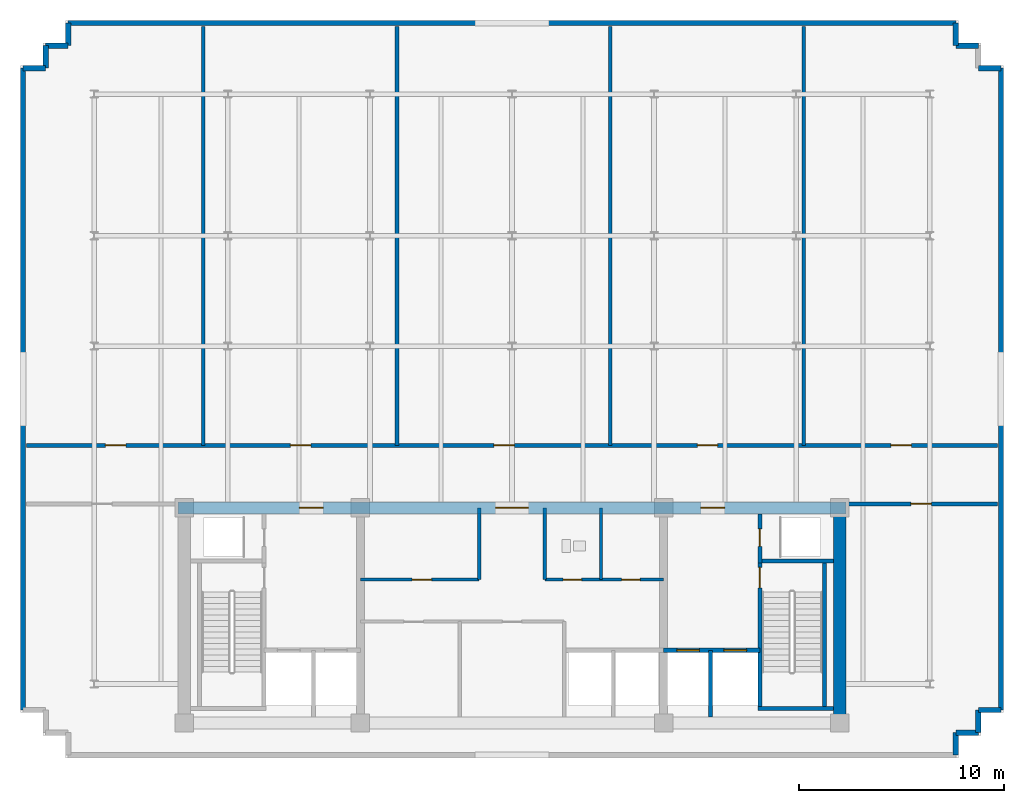
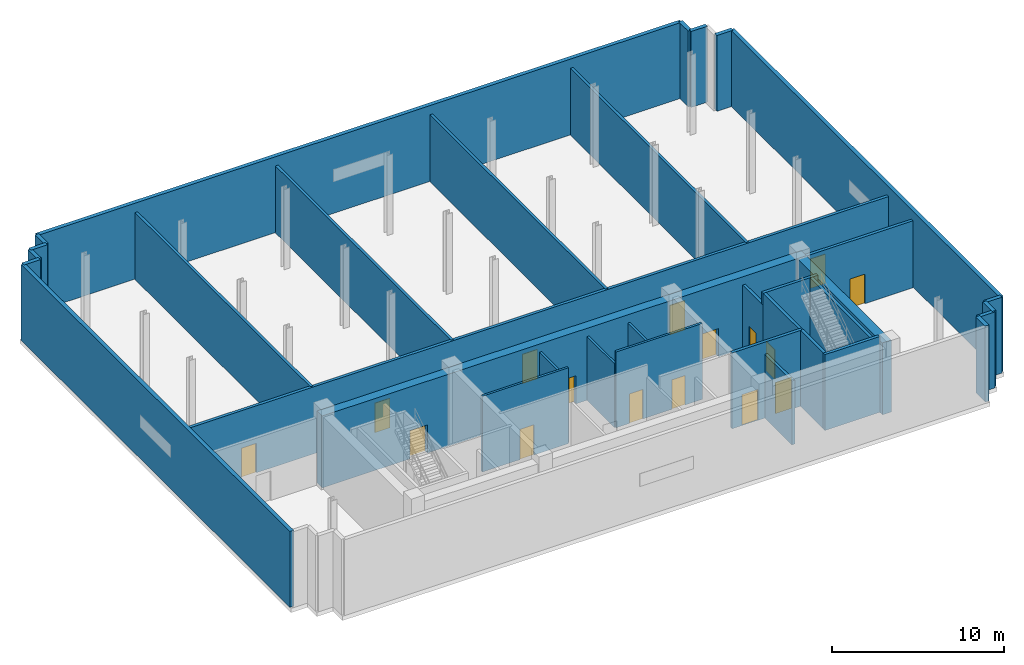
# One storey, part 3 of 7: 34 walls, 16 doors, 16 openings.
"""IFC4 building model written with IfcOpenShell, lengths in metres."""

from ifc_helpers import new_model, si_unit, direction, frame, frame_2d, origin, place, context, subcontext, project, spatial, rectangle, extrude, material, layer, layer_set, type_object, element, fill, save


model = new_model("IFC4")

# Units and contexts
model_context = context("Model", 3, precision=1e-05, world=origin(), true_north=direction((0.0, 1.0)))
body_context = subcontext(model_context, "Body", "Model", "MODEL_VIEW")
ifc_project = project(units=[si_unit("LENGTHUNIT", "METRE"), si_unit("AREAUNIT", "SQUARE_METRE"), si_unit("VOLUMEUNIT", "CUBIC_METRE"), si_unit("PLANEANGLEUNIT", "RADIAN"), si_unit("MASSUNIT", "GRAM", prefix="KILO")], contexts=[model_context])

# Site, building, storey
site_placement = place(None, origin())
site = spatial("IfcSite", under=ifc_project, at=site_placement, CompositionType="ELEMENT")
building_placement = place(site_placement, origin())
building = spatial("IfcBuilding", under=site, at=building_placement, Name="Solmavex Isthmus Hotel", CompositionType="ELEMENT")
storey_placement = place(building_placement, frame((0.0, 0.0, 291.300048828125)))
storey = spatial("IfcBuildingStorey", under=building, at=storey_placement, Name="L79", CompositionType="ELEMENT", Elevation=291.300048828125)

# Walls
ifc_material_1 = material(Name="Precast Concrete C40/50", Category="concrete")
ifc_layer_1 = layer(ifc_material_1, 0.260009765625)
ifc_layer_set_1 = layer_set([ifc_layer_1], Name="Precast Concrete C40/50")
wall_type_1 = type_object("IfcWallType", Name="EW-CRN-260", PredefinedType="STANDARD", material=ifc_layer_set_1)
wall_1_placement = place(storey_placement, frame((-23.8701171875, -12.3701171875, 0.0), z_axis=(0.0, 0.0, 1.0), x_axis=(0.0, 1.0, 0.0)))
element("IfcWall", 1, at=wall_1_placement, inside=storey, type_object=wall_type_1, Name="Plant Acoustic Louvre Enclosure Wall L79-06", PredefinedType="STANDARD", context=body_context, shape_type="SweptSolid", body=[
    extrude(rectangle(XDim=31.340087890625, YDim=0.260009765625, at=frame_2d((15.669921875, 0.0))), origin(), (0.0, 0.0, 1.0), 5.39990234375),
])
for number, where, z_axis, x_axis, name in (
    (2, (-23.8701171875, 18.969970703125, 0.0), (0.0, 0.0, 1.0), (1.0, 0.0, 0.0), "Plant Acoustic Louvre Enclosure Wall L79-07"),
    (3, (-22.77001953125, 18.969970703125, 0.0), (0.0, 0.0, 1.0), (0.0, 1.0, 0.0), "Plant Acoustic Louvre Enclosure Wall L79-08"),
    (4, (-22.77001953125, 20.070068359375, 0.0), (0.0, 0.0, 1.0), (1.0, 0.0, 0.0), "Plant Acoustic Louvre Enclosure Wall L79-09"),
):
    element("IfcWall", number, at=place(storey_placement, frame(where, z_axis=z_axis, x_axis=x_axis)), inside=storey, type_object=wall_type_1, Name=name, PredefinedType="STANDARD", context=body_context, shape_type="SweptSolid", body=[
        extrude(rectangle(XDim=1.10009765625, YDim=0.260009765625, at=frame_2d((0.550048828125, 0.0))), origin(), (0.0, 0.0, 1.0), 5.39990234375),
    ])
wall_2_placement = place(storey_placement, frame((-21.669921875, 20.070068359375, 0.0), z_axis=(0.0, 0.0, 1.0), x_axis=(0.0, 1.0, 0.0)))
element("IfcWall", 5, at=wall_2_placement, inside=storey, type_object=wall_type_1, Name="Plant Acoustic Louvre Enclosure Wall L79-10", PredefinedType="STANDARD", context=body_context, shape_type="SweptSolid", body=[
    extrude(rectangle(XDim=1.099853515625, YDim=0.260009765625, at=frame_2d((0.5498046875, 0.0))), origin(), (0.0, 0.0, 1.0), 5.39990234375),
])
wall_3_placement = place(storey_placement, frame((-21.669921875, 21.169921875, 0.0), z_axis=(0.0, 0.0, 1.0), x_axis=(1.0, 0.0, 0.0)))
element("IfcWall", 6, at=wall_3_placement, inside=storey, type_object=wall_type_1, Name="Plant Acoustic Louvre Enclosure Wall L79-11", PredefinedType="STANDARD", context=body_context, shape_type="SweptSolid", body=[
    extrude(rectangle(XDim=43.33984375, YDim=0.260009765625, at=frame_2d((21.669921875, 0.0))), origin(), (0.0, 0.0, 1.0), 5.39990234375),
])
wall_4_placement = place(storey_placement, frame((21.669921875, 21.169921875, 0.0), z_axis=(0.0, 0.0, 1.0), x_axis=(0.0, -1.0, 0.0)))
element("IfcWall", 7, at=wall_4_placement, inside=storey, type_object=wall_type_1, Name="Plant Acoustic Louvre Enclosure Wall L79-12", PredefinedType="STANDARD", context=body_context, shape_type="SweptSolid", body=[
    extrude(rectangle(XDim=1.099853515625, YDim=0.260009765625, at=frame_2d((0.5498046875, 0.0))), origin(), (0.0, 0.0, 1.0), 5.39990234375),
])
for number, where, z_axis, x_axis, name in (
    (8, (21.669921875, 20.070068359375, 0.0), (0.0, 0.0, 1.0), (1.0, 0.0, 0.0), "Plant Acoustic Louvre Enclosure Wall L79-13"),
    (9, (22.77001953125, 18.969970703125, 0.0), (0.0, 0.0, 1.0), (1.0, 0.0, 0.0), "Plant Acoustic Louvre Enclosure Wall L79-15"),
):
    element("IfcWall", number, at=place(storey_placement, frame(where, z_axis=z_axis, x_axis=x_axis)), inside=storey, type_object=wall_type_1, Name=name, PredefinedType="STANDARD", context=body_context, shape_type="SweptSolid", body=[
        extrude(rectangle(XDim=1.10009765625, YDim=0.260009765625, at=frame_2d((0.550048828125, 0.0))), origin(), (0.0, 0.0, 1.0), 5.39990234375),
    ])
wall_5_placement = place(storey_placement, frame((23.8701171875, 18.969970703125, 0.0), z_axis=(0.0, 0.0, 1.0), x_axis=(0.0, -1.0, 0.0)))
element("IfcWall", 10, at=wall_5_placement, inside=storey, type_object=wall_type_1, Name="Plant Acoustic Louvre Enclosure Wall L79-16", PredefinedType="STANDARD", context=body_context, shape_type="SweptSolid", body=[
    extrude(rectangle(XDim=31.340087890625, YDim=0.260009765625, at=frame_2d((15.669921875, 0.0))), origin(), (0.0, 0.0, 1.0), 5.39990234375),
])
wall_6_placement = place(storey_placement, frame((23.8701171875, -12.3701171875, 0.0), z_axis=(0.0, 0.0, 1.0), x_axis=(-1.0, 0.0, 0.0)))
element("IfcWall", 11, at=wall_6_placement, inside=storey, type_object=wall_type_1, Name="Plant Acoustic Louvre Enclosure Wall L79-17", PredefinedType="STANDARD", context=body_context, shape_type="SweptSolid", body=[
    extrude(rectangle(XDim=1.10009765625, YDim=0.260009765625, at=frame_2d((0.550048828125, 0.0))), origin(), (0.0, 0.0, 1.0), 5.39990234375),
])
wall_7_placement = place(storey_placement, frame((22.77001953125, -12.3701171875, 0.0), z_axis=(0.0, 0.0, 1.0), x_axis=(0.0, -1.0, 0.0)))
element("IfcWall", 12, at=wall_7_placement, inside=storey, type_object=wall_type_1, Name="Plant Acoustic Louvre Enclosure Wall L79-18", PredefinedType="STANDARD", context=body_context, shape_type="SweptSolid", body=[
    extrude(rectangle(XDim=1.099853515625, YDim=0.260009765625, at=frame_2d((0.5498046875, 0.0))), origin(), (0.0, 0.0, 1.0), 5.39990234375),
])
for number, where, z_axis, x_axis, name in (
    (13, (22.77001953125, -13.469970703125, 0.0), (0.0, 0.0, 1.0), (-1.0, 0.0, 0.0), "Plant Acoustic Louvre Enclosure Wall L79-19"),
    (14, (21.669921875, -13.469970703125, 0.0), (0.0, 0.0, 1.0), (0.0, -1.0, 0.0), "Plant Acoustic Louvre Enclosure Wall L79-20"),
):
    element("IfcWall", number, at=place(storey_placement, frame(where, z_axis=z_axis, x_axis=x_axis)), inside=storey, type_object=wall_type_1, Name=name, PredefinedType="STANDARD", context=body_context, shape_type="SweptSolid", body=[
        extrude(rectangle(XDim=1.10009765625, YDim=0.260009765625, at=frame_2d((0.550048828125, 0.0))), origin(), (0.0, 0.0, 1.0), 5.39990234375),
    ])

# Wall, opening, door
ifc_material_2 = material(Name="Gypsum plasterboard lining", Category="gypsum")
ifc_layer_2 = layer(ifc_material_2, 0.14990234375)
ifc_layer_set_2 = layer_set([ifc_layer_2], Name="Gypsum plasterboard lining")
wall_type_2 = type_object("IfcWallType", Name="IW-CORR-150", PredefinedType="PARTITIONING", material=ifc_layer_set_2)
wall_8_placement = place(storey_placement, frame((-7.39990234375, -6.0, 0.0), z_axis=(0.0, 0.0, 1.0), x_axis=(1.0, 0.0, 0.0)))
wall_8 = element("IfcWall", 15, at=wall_8_placement, inside=storey, type_object=wall_type_2, Name="Interior Partition Wall W-L79-BOH-WS", PredefinedType="PARTITIONING", context=body_context, shape_type="SweptSolid", body=[
    extrude(rectangle(XDim=5.7998046875, YDim=0.14990234375, at=frame_2d((2.89990234375, 0.0))), origin(), (0.0, 0.0, 1.0), 5.39990234375),
])
opening_1_placement = place(wall_8_placement, frame((2.52490234375, 0.0, 0.0)))
opening_1 = element("IfcOpeningElement", 16, at=opening_1_placement, cuts=wall_8, Name="Opening ID-C095", PredefinedType="OPENING", context=body_context, shape_type="SweptSolid", body=[
    extrude(rectangle(XDim=0.949951171875, YDim=2.14990234375, at=frame_2d((0.47509765625, 1.074951171875))), frame((0.0, 0.0849609375, 0.0), z_axis=(0.0, -1.0, 0.0), x_axis=(1.0, 0.0, 0.0)), (0.0, 0.0, 1.0), 0.169921875),
])
ifc_material_3 = material(Name="Hardwood timber", Category="wood")
door_type_1 = type_object("IfcDoorType", Name="IDR-FD60-0950", OperationType="NOTDEFINED", PredefinedType="DOOR", material=ifc_material_3)
door_1_placement = place(opening_1_placement, frame((0.949951171875, 0.0, 0.0), z_axis=(0.0, 0.0, 1.0), x_axis=(-1.0, 0.0, 0.0)))
door_1 = element("IfcDoor", 17, at=door_1_placement, inside=storey, type_object=door_type_1, Name="Housekeeping Room Door L79", OperationType="SINGLE_SWING_LEFT", OverallHeight=2.14990234375, OverallWidth=0.949951171875, PredefinedType="DOOR", context=body_context, shape_type="SweptSolid", body=[
    extrude(rectangle(XDim=0.949951171875, YDim=2.14990234375, at=frame_2d((0.47509765625, 1.074951171875))), frame((0.0, 0.02490234375, 0.0), z_axis=(0.0, -1.0, 0.0), x_axis=(1.0, 0.0, 0.0)), (0.0, 0.0, 1.0), 0.050048828125),
])
fill(opening_1, door_1)

# Wall
wall_9_placement = place(storey_placement, frame((-1.60009765625, -6.0, 0.0), z_axis=(0.0, 0.0, 1.0), x_axis=(0.0, 1.0, 0.0)))
element("IfcWall", 18, at=wall_9_placement, inside=storey, type_object=wall_type_2, Name="Interior Partition Wall W-L79-BOH-WE", PredefinedType="PARTITIONING", context=body_context, shape_type="SweptSolid", body=[
    extrude(rectangle(XDim=3.5, YDim=0.14990234375, at=frame_2d((1.75, 0.0))), origin(), (0.0, 0.0, 1.0), 4.534912109375),
])

# Wall, openings, doors
wall_10_placement = place(storey_placement, frame((1.60009765625, -6.0, 0.0), z_axis=(0.0, 0.0, 1.0), x_axis=(1.0, 0.0, 0.0)))
wall_10 = element("IfcWall", 19, at=wall_10_placement, inside=storey, type_object=wall_type_2, Name="Interior Partition Wall W-L79-BOH-ES", PredefinedType="PARTITIONING", context=body_context, shape_type="SweptSolid", body=[
    extrude(rectangle(XDim=5.7998046875, YDim=0.14990234375, at=frame_2d((2.89990234375, 0.0))), origin(), (0.0, 0.0, 1.0), 5.39990234375),
])
opening_2_placement = place(wall_10_placement, frame((0.89990234375, 0.0, 0.0)))
opening_2 = element("IfcOpeningElement", 20, at=opening_2_placement, cuts=wall_10, Name="Opening ID-C090", PredefinedType="OPENING", context=body_context, shape_type="SweptSolid", body=[
    extrude(rectangle(XDim=0.89990234375, YDim=2.10009765625, at=frame_2d((0.449951171875, 1.050048828125))), frame((0.0, 0.0849609375, 0.0), z_axis=(0.0, -1.0, 0.0), x_axis=(1.0, 0.0, 0.0)), (0.0, 0.0, 1.0), 0.169921875),
])
opening_3_placement = place(wall_10_placement, frame((3.75, 0.0, 0.0)))
opening_3 = element("IfcOpeningElement", 21, at=opening_3_placement, cuts=wall_10, Name="Opening ID-C090", PredefinedType="OPENING", context=body_context, shape_type="SweptSolid", body=[
    extrude(rectangle(XDim=0.89990234375, YDim=2.10009765625, at=frame_2d((0.449951171875, 1.050048828125))), frame((0.0, 0.0849609375, 0.0), z_axis=(0.0, -1.0, 0.0), x_axis=(1.0, 0.0, 0.0)), (0.0, 0.0, 1.0), 0.169921875),
])
door_type_2 = type_object("IfcDoorType", Name="IDR-FD60-0900", OperationType="NOTDEFINED", PredefinedType="DOOR", material=ifc_material_3)
door_2_placement = place(opening_2_placement, frame((0.89990234375, 0.0, 0.0), z_axis=(0.0, 0.0, 1.0), x_axis=(-1.0, 0.0, 0.0)))
door_2 = element("IfcDoor", 22, at=door_2_placement, inside=storey, type_object=door_type_2, Name="Staff WC Door L79", OperationType="SINGLE_SWING_RIGHT", OverallHeight=2.10009765625, OverallWidth=0.89990234375, PredefinedType="DOOR", context=body_context, shape_type="SweptSolid", body=[
    extrude(rectangle(XDim=0.89990234375, YDim=2.10009765625, at=frame_2d((0.449951171875, 1.050048828125))), frame((0.0, 0.02490234375, 0.0), z_axis=(0.0, -1.0, 0.0), x_axis=(1.0, 0.0, 0.0)), (0.0, 0.0, 1.0), 0.050048828125),
])
fill(opening_2, door_2)
door_3_placement = place(opening_3_placement, frame((0.89990234375, 0.0, 0.0), z_axis=(0.0, 0.0, 1.0), x_axis=(-1.0, 0.0, 0.0)))
door_3 = element("IfcDoor", 23, at=door_3_placement, inside=storey, type_object=door_type_2, Name="Pantry Door L79", OperationType="SINGLE_SWING_LEFT", OverallHeight=2.10009765625, OverallWidth=0.89990234375, PredefinedType="DOOR", context=body_context, shape_type="SweptSolid", body=[
    extrude(rectangle(XDim=0.89990234375, YDim=2.10009765625, at=frame_2d((0.449951171875, 1.050048828125))), frame((0.0, 0.02490234375, 0.0), z_axis=(0.0, -1.0, 0.0), x_axis=(1.0, 0.0, 0.0)), (0.0, 0.0, 1.0), 0.050048828125),
])
fill(opening_3, door_3)

# Walls
wall_11_placement = place(storey_placement, frame((1.60009765625, -6.0, 0.0), z_axis=(0.0, 0.0, 1.0), x_axis=(0.0, 1.0, 0.0)))
element("IfcWall", 24, at=wall_11_placement, inside=storey, type_object=wall_type_2, Name="Interior Partition Wall W-L79-BOH-EW", PredefinedType="PARTITIONING", context=body_context, shape_type="SweptSolid", body=[
    extrude(rectangle(XDim=3.5, YDim=0.14990234375, at=frame_2d((1.75, 0.0))), origin(), (0.0, 0.0, 1.0), 4.534912109375),
])
ifc_layer_3 = layer(ifc_material_2, 0.1201171875)
ifc_layer_set_3 = layer_set([ifc_layer_3], Name="Gypsum plasterboard lining")
wall_type_3 = type_object("IfcWallType", Name="IW-PART-120", PredefinedType="PARTITIONING", material=ifc_layer_set_3)
wall_12_placement = place(storey_placement, frame((4.35009765625, -6.0, 0.0), z_axis=(0.0, 0.0, 1.0), x_axis=(0.0, 1.0, 0.0)))
element("IfcWall", 25, at=wall_12_placement, inside=storey, type_object=wall_type_3, Name="Interior Partition Wall W-L79-BOH-EM0", PredefinedType="PARTITIONING", context=body_context, shape_type="SweptSolid", body=[
    extrude(rectangle(XDim=3.5, YDim=0.14990234375, at=frame_2d((1.75, 0.0))), origin(), (0.0, 0.0, 1.0), 4.534912109375),
])
ifc_material_4 = material(Name="Concrete C40/50", Category="concrete")
ifc_layer_4 = layer(ifc_material_4, 0.179931640625)
ifc_layer_set_4 = layer_set([ifc_layer_4], Name="Concrete C40/50")
wall_type_4 = type_object("IfcWallType", Name="IW-SHAFT-180", PredefinedType="PARTITIONING", material=ifc_layer_set_4)
for number, where, z_axis, x_axis, name in (
    (26, (-15.070068359375, 0.550048828125, 0.0), (0.0, 0.0, 1.0), (0.0, 1.0, 0.0), "Interior Partition Wall W-L79-PX1"),
    (27, (-5.610107421875, 0.550048828125, 0.0), (0.0, 0.0, 1.0), (0.0, 1.0, 0.0), "Interior Partition Wall W-L79-PX2"),
    (28, (4.7900390625, 0.550048828125, 0.0), (0.0, 0.0, 1.0), (0.0, 1.0, 0.0), "Interior Partition Wall W-L79-PX3"),
    (29, (14.25, 0.550048828125, 0.0), (0.0, 0.0, 1.0), (0.0, 1.0, 0.0), "Interior Partition Wall W-L79-PX4"),
):
    element("IfcWall", number, at=place(storey_placement, frame(where, z_axis=z_axis, x_axis=x_axis)), inside=storey, type_object=wall_type_4, Name=name, PredefinedType="PARTITIONING", context=body_context, shape_type="SweptSolid", body=[
        extrude(rectangle(XDim=20.4599609375, YDim=0.179931640625, at=frame_2d((10.22998046875, 0.0))), origin(), (0.0, 0.0, 1.0), 4.767333984375),
    ])

# Wall, opening, door
ifc_layer_5 = layer(ifc_material_4, 0.199951171875)
ifc_layer_set_5 = layer_set([ifc_layer_5], Name="Concrete C40/50")
wall_type_5 = type_object("IfcWallType", Name="IW-SHAFT-200", PredefinedType="PARTITIONING", material=ifc_layer_set_5)
wall_13_placement = place(storey_placement, frame((12.10009765625, -5.199951171875, 0.0), z_axis=(0.0, 0.0, 1.0), x_axis=(0.0, 1.0, 0.0)))
wall_13 = element("IfcWall", 30, at=wall_13_placement, inside=storey, type_object=wall_type_5, Name="Interior Partition Wall W-L79-RSE-W", PredefinedType="PARTITIONING", context=body_context, shape_type="SweptSolid", body=[
    extrude(rectangle(XDim=2.39990234375, YDim=0.199951171875, at=frame_2d((1.199951171875, 0.0))), origin(), (0.0, 0.0, 1.0), 4.534912109375),
])
opening_4_placement = place(wall_13_placement, frame((0.824951171875, 0.0, 0.0)))
opening_4 = element("IfcOpeningElement", 31, at=opening_4_placement, cuts=wall_13, Name="Opening ID-R085", PredefinedType="OPENING", context=body_context, shape_type="SweptSolid", body=[
    extrude(rectangle(XDim=0.85009765625, YDim=2.050048828125, at=frame_2d((0.425048828125, 1.02490234375))), frame((0.0, 0.10986328125, 0.0), z_axis=(0.0, -1.0, 0.0), x_axis=(1.0, 0.0, 0.0)), (0.0, 0.0, 1.0), 0.219970703125),
])
ifc_material_5 = material(Name="Steel ASTM A500 Grade C", Category="steel")
door_type_3 = type_object("IfcDoorType", Name="IDR-FD60-0850", OperationType="NOTDEFINED", PredefinedType="DOOR", material=ifc_material_5)
door_4_placement = place(opening_4_placement, frame((0.85009765625, 0.0, 0.0), z_axis=(0.0, 0.0, 1.0), x_axis=(-1.0, 0.0, 0.0)))
door_4 = element("IfcDoor", 32, at=door_4_placement, inside=storey, type_object=door_type_3, Name="Mechanical Riser Door L79", OperationType="SINGLE_SWING_LEFT", OverallHeight=2.050048828125, OverallWidth=0.85009765625, PredefinedType="DOOR", context=body_context, shape_type="SweptSolid", body=[
    extrude(rectangle(XDim=0.85009765625, YDim=2.050048828125, at=frame_2d((0.425048828125, 1.02490234375))), frame((0.0, 0.02490234375, 0.0), z_axis=(0.0, -1.0, 0.0), x_axis=(1.0, 0.0, 0.0)), (0.0, 0.0, 1.0), 0.050048828125),
])
fill(opening_4, door_4)

# Wall, openings, doors
wall_14_placement = place(storey_placement, frame((7.39990234375, -9.449951171875, 0.0), z_axis=(0.0, 0.0, 1.0), x_axis=(1.0, 0.0, 0.0)))
wall_14 = element("IfcWall", 33, at=wall_14_placement, inside=storey, type_object=wall_type_5, Name="Interior Partition Wall W-L79-FFLE-S", PredefinedType="PARTITIONING", context=body_context, shape_type="SweptSolid", body=[
    extrude(rectangle(XDim=4.7001953125, YDim=0.199951171875, at=frame_2d((2.35009765625, 0.0))), origin(), (0.0, 0.0, 1.0), 5.39990234375),
])
opening_5_placement = place(wall_14_placement, frame((2.949951171875, 0.0, 0.0)))
opening_5 = element("IfcOpeningElement", 34, at=opening_5_placement, cuts=wall_14, Name="Opening LD-FF", PredefinedType="OPENING", context=body_context, shape_type="SweptSolid", body=[
    extrude(rectangle(XDim=1.10009765625, YDim=2.199951171875, at=frame_2d((0.550048828125, 1.10009765625))), frame((0.0, 0.10986328125, 0.0), z_axis=(0.0, -1.0, 0.0), x_axis=(1.0, 0.0, 0.0)), (0.0, 0.0, 1.0), 0.219970703125),
])
opening_6_placement = place(wall_14_placement, frame((0.64990234375, 0.0, 0.0)))
opening_6 = element("IfcOpeningElement", 35, at=opening_6_placement, cuts=wall_14, Name="Opening LD-SV", PredefinedType="OPENING", context=body_context, shape_type="SweptSolid", body=[
    extrude(rectangle(XDim=1.10009765625, YDim=2.199951171875, at=frame_2d((0.550048828125, 1.10009765625))), frame((0.0, 0.10986328125, 0.0), z_axis=(0.0, -1.0, 0.0), x_axis=(1.0, 0.0, 0.0)), (0.0, 0.0, 1.0), 0.219970703125),
])
ifc_material_6 = material(Name="Stainless steel 316", Category="steel")
door_type_4 = type_object("IfcDoorType", Name="LDR-FF-1100", OperationType="NOTDEFINED", PredefinedType="DOOR", material=ifc_material_6)
door_5_placement = place(opening_5_placement, origin())
door_5 = element("IfcDoor", 36, at=door_5_placement, inside=storey, type_object=door_type_4, Name="Lift Landing Door FFL-2 L79", OperationType="SLIDING_TO_LEFT", OverallHeight=2.199951171875, OverallWidth=1.10009765625, PredefinedType="DOOR", context=body_context, shape_type="SweptSolid", body=[
    extrude(rectangle(XDim=1.10009765625, YDim=2.199951171875, at=frame_2d((0.550048828125, 1.10009765625))), frame((0.0, 0.02490234375, 0.0), z_axis=(0.0, -1.0, 0.0), x_axis=(1.0, 0.0, 0.0)), (0.0, 0.0, 1.0), 0.050048828125),
])
fill(opening_5, door_5)
door_type_5 = type_object("IfcDoorType", Name="LDR-SV-1100", OperationType="NOTDEFINED", PredefinedType="DOOR", material=ifc_material_6)
door_6_placement = place(opening_6_placement, origin())
door_6 = element("IfcDoor", 37, at=door_6_placement, inside=storey, type_object=door_type_5, Name="Lift Landing Door SVL-2 L79", OperationType="SLIDING_TO_RIGHT", OverallHeight=2.199951171875, OverallWidth=1.10009765625, PredefinedType="DOOR", context=body_context, shape_type="SweptSolid", body=[
    extrude(rectangle(XDim=1.10009765625, YDim=2.199951171875, at=frame_2d((0.550048828125, 1.10009765625))), frame((0.0, 0.02490234375, 0.0), z_axis=(0.0, -1.0, 0.0), x_axis=(1.0, 0.0, 0.0)), (0.0, 0.0, 1.0), 0.050048828125),
])
fill(opening_6, door_6)

# Wall
wall_15_placement = place(storey_placement, frame((9.699951171875, -12.699951171875, 0.0), z_axis=(0.0, 0.0, 1.0), x_axis=(0.0, 1.0, 0.0)))
element("IfcWall", 38, at=wall_15_placement, inside=storey, type_object=wall_type_5, Name="Interior Partition Wall W-L79-FFLE-M", PredefinedType="PARTITIONING", context=body_context, shape_type="SweptSolid", body=[
    extrude(rectangle(XDim=3.25, YDim=0.199951171875, at=frame_2d((1.625, 0.0))), origin(), (0.0, 0.0, 1.0), 4.534912109375),
])

# Wall, openings, doors
wall_16_placement = place(storey_placement, frame((-23.7099609375, 0.550048828125, 0.0), z_axis=(0.0, 0.0, 1.0), x_axis=(1.0, 0.0, 0.0)))
wall_16 = element("IfcWall", 39, at=wall_16_placement, inside=storey, type_object=wall_type_5, Name="Interior Partition Wall W-L79-PN", PredefinedType="PARTITIONING", context=body_context, shape_type="SweptSolid", body=[
    extrude(rectangle(XDim=47.419921875, YDim=0.199951171875, at=frame_2d((23.7099609375, 0.0))), origin(), (0.0, 0.0, 1.0), 4.767333984375),
])
opening_7_placement = place(wall_16_placement, frame((3.85498046875, 0.0, 0.0)))
opening_7 = element("IfcOpeningElement", 40, at=opening_7_placement, cuts=wall_16, Name="Opening ID-F100", PredefinedType="OPENING", context=body_context, shape_type="SweptSolid", body=[
    extrude(rectangle(XDim=1.0, YDim=2.10009765625, at=frame_2d((0.5, 1.050048828125))), frame((0.0, 0.10986328125, 0.0), z_axis=(0.0, -1.0, 0.0), x_axis=(1.0, 0.0, 0.0)), (0.0, 0.0, 1.0), 0.219970703125),
])
opening_8_placement = place(wall_16_placement, frame((12.89501953125, 0.0, 0.0)))
opening_8 = element("IfcOpeningElement", 41, at=opening_8_placement, cuts=wall_16, Name="Opening ID-F100", PredefinedType="OPENING", context=body_context, shape_type="SweptSolid", body=[
    extrude(rectangle(XDim=1.0, YDim=2.10009765625, at=frame_2d((0.5, 1.050048828125))), frame((0.0, 0.10986328125, 0.0), z_axis=(0.0, -1.0, 0.0), x_axis=(1.0, 0.0, 0.0)), (0.0, 0.0, 1.0), 0.219970703125),
])
opening_9_placement = place(wall_16_placement, frame((22.824951171875, 0.0, 0.0)))
opening_9 = element("IfcOpeningElement", 42, at=opening_9_placement, cuts=wall_16, Name="Opening ID-F100", PredefinedType="OPENING", context=body_context, shape_type="SweptSolid", body=[
    extrude(rectangle(XDim=1.0, YDim=2.10009765625, at=frame_2d((0.5, 1.050048828125))), frame((0.0, 0.10986328125, 0.0), z_axis=(0.0, -1.0, 0.0), x_axis=(1.0, 0.0, 0.0)), (0.0, 0.0, 1.0), 0.219970703125),
])
opening_10_placement = place(wall_16_placement, frame((32.7548828125, 0.0, 0.0)))
opening_10 = element("IfcOpeningElement", 43, at=opening_10_placement, cuts=wall_16, Name="Opening ID-F100", PredefinedType="OPENING", context=body_context, shape_type="SweptSolid", body=[
    extrude(rectangle(XDim=1.0, YDim=2.10009765625, at=frame_2d((0.5, 1.050048828125))), frame((0.0, 0.10986328125, 0.0), z_axis=(0.0, -1.0, 0.0), x_axis=(1.0, 0.0, 0.0)), (0.0, 0.0, 1.0), 0.219970703125),
])
opening_11_placement = place(wall_16_placement, frame((42.205078125, 0.0, 0.0)))
opening_11 = element("IfcOpeningElement", 44, at=opening_11_placement, cuts=wall_16, Name="Opening ID-F100", PredefinedType="OPENING", context=body_context, shape_type="SweptSolid", body=[
    extrude(rectangle(XDim=1.0, YDim=2.10009765625, at=frame_2d((0.5, 1.050048828125))), frame((0.0, 0.10986328125, 0.0), z_axis=(0.0, -1.0, 0.0), x_axis=(1.0, 0.0, 0.0)), (0.0, 0.0, 1.0), 0.219970703125),
])
door_type_6 = type_object("IfcDoorType", Name="IDR-FD90-1000", OperationType="NOTDEFINED", PredefinedType="DOOR", material=ifc_material_5)
door_7_placement = place(opening_7_placement, origin())
door_7 = element("IfcDoor", 45, at=door_7_placement, inside=storey, type_object=door_type_6, Name="High-Rise Lift Machine Plant Room Door L79-1", OperationType="SINGLE_SWING_LEFT", OverallHeight=2.10009765625, OverallWidth=1.0, PredefinedType="DOOR", context=body_context, shape_type="SweptSolid", body=[
    extrude(rectangle(XDim=1.0, YDim=2.10009765625, at=frame_2d((0.5, 1.050048828125))), frame((0.0, 0.02490234375, 0.0), z_axis=(0.0, -1.0, 0.0), x_axis=(1.0, 0.0, 0.0)), (0.0, 0.0, 1.0), 0.050048828125),
])
fill(opening_7, door_7)
door_8_placement = place(opening_8_placement, origin())
door_8 = element("IfcDoor", 46, at=door_8_placement, inside=storey, type_object=door_type_6, Name="High-Voltage Electrical Switchgear Plant Room Door L79-2", OperationType="SINGLE_SWING_RIGHT", OverallHeight=2.10009765625, OverallWidth=1.0, PredefinedType="DOOR", context=body_context, shape_type="SweptSolid", body=[
    extrude(rectangle(XDim=1.0, YDim=2.10009765625, at=frame_2d((0.5, 1.050048828125))), frame((0.0, 0.02490234375, 0.0), z_axis=(0.0, -1.0, 0.0), x_axis=(1.0, 0.0, 0.0)), (0.0, 0.0, 1.0), 0.050048828125),
])
fill(opening_8, door_8)
door_9_placement = place(opening_9_placement, origin())
door_9 = element("IfcDoor", 47, at=door_9_placement, inside=storey, type_object=door_type_6, Name="Domestic Booster Pump Plant Room Door L79-3", OperationType="SINGLE_SWING_LEFT", OverallHeight=2.10009765625, OverallWidth=1.0, PredefinedType="DOOR", context=body_context, shape_type="SweptSolid", body=[
    extrude(rectangle(XDim=1.0, YDim=2.10009765625, at=frame_2d((0.5, 1.050048828125))), frame((0.0, 0.02490234375, 0.0), z_axis=(0.0, -1.0, 0.0), x_axis=(1.0, 0.0, 0.0)), (0.0, 0.0, 1.0), 0.050048828125),
])
fill(opening_9, door_9)
door_10_placement = place(opening_10_placement, origin())
door_10 = element("IfcDoor", 48, at=door_10_placement, inside=storey, type_object=door_type_6, Name="BMS Telecom Control Plant Room Door L79-4", OperationType="SINGLE_SWING_RIGHT", OverallHeight=2.10009765625, OverallWidth=1.0, PredefinedType="DOOR", context=body_context, shape_type="SweptSolid", body=[
    extrude(rectangle(XDim=1.0, YDim=2.10009765625, at=frame_2d((0.5, 1.050048828125))), frame((0.0, 0.02490234375, 0.0), z_axis=(0.0, -1.0, 0.0), x_axis=(1.0, 0.0, 0.0)), (0.0, 0.0, 1.0), 0.050048828125),
])
fill(opening_10, door_10)
door_11_placement = place(opening_11_placement, origin())
door_11 = element("IfcDoor", 49, at=door_11_placement, inside=storey, type_object=door_type_6, Name="Smoke Exhaust Fan Plant Room Door L79-5", OperationType="SINGLE_SWING_LEFT", OverallHeight=2.10009765625, OverallWidth=1.0, PredefinedType="DOOR", context=body_context, shape_type="SweptSolid", body=[
    extrude(rectangle(XDim=1.0, YDim=2.10009765625, at=frame_2d((0.5, 1.050048828125))), frame((0.0, 0.02490234375, 0.0), z_axis=(0.0, -1.0, 0.0), x_axis=(1.0, 0.0, 0.0)), (0.0, 0.0, 1.0), 0.050048828125),
])
fill(opening_11, door_11)

# Wall, opening, door
wall_17_placement = place(storey_placement, frame((16.300048828125, -2.300048828125, 0.0), z_axis=(0.0, 0.0, 1.0), x_axis=(1.0, 0.0, 0.0)))
wall_17 = element("IfcWall", 50, at=wall_17_placement, inside=storey, type_object=wall_type_5, Name="Interior Partition Wall W-L79-PSE", PredefinedType="PARTITIONING", context=body_context, shape_type="SweptSolid", body=[
    extrude(rectangle(XDim=7.409912109375, YDim=0.199951171875, at=frame_2d((3.705078125, 0.0))), origin(), (0.0, 0.0, 1.0), 4.767333984375),
])
opening_12_placement = place(wall_17_placement, frame((3.175048828125, 0.0, 0.0)))
opening_12 = element("IfcOpeningElement", 51, at=opening_12_placement, cuts=wall_17, Name="Opening ID-F100", PredefinedType="OPENING", context=body_context, shape_type="SweptSolid", body=[
    extrude(rectangle(XDim=1.0, YDim=2.10009765625, at=frame_2d((0.5, 1.050048828125))), frame((0.0, 0.10986328125, 0.0), z_axis=(0.0, -1.0, 0.0), x_axis=(1.0, 0.0, 0.0)), (0.0, 0.0, 1.0), 0.219970703125),
])
door_12_placement = place(opening_12_placement, frame((1.0, 0.0, 0.0), z_axis=(0.0, 0.0, 1.0), x_axis=(-1.0, 0.0, 0.0)))
door_12 = element("IfcDoor", 52, at=door_12_placement, inside=storey, type_object=door_type_6, Name="Emergency Telecom and BMS Plant Room Door L79", OperationType="SINGLE_SWING_RIGHT", OverallHeight=2.10009765625, OverallWidth=1.0, PredefinedType="DOOR", context=body_context, shape_type="SweptSolid", body=[
    extrude(rectangle(XDim=1.0, YDim=2.10009765625, at=frame_2d((0.5, 1.050048828125))), frame((0.0, 0.02490234375, 0.0), z_axis=(0.0, -1.0, 0.0), x_axis=(1.0, 0.0, 0.0)), (0.0, 0.0, 1.0), 0.050048828125),
])
fill(opening_12, door_12)

# Wall, openings, doors
ifc_material_7 = material(Name="Concrete C50/60", Category="concrete")
ifc_layer_6 = layer(ifc_material_7, 0.60009765625)
ifc_layer_set_6 = layer_set([ifc_layer_6], Name="Concrete C50/60")
wall_type_6 = type_object("IfcWallType", Name="WALL-CW-600", PredefinedType="SHEAR", material=ifc_layer_set_6)
wall_18_placement = place(storey_placement, frame((-16.300048828125, -2.5, 0.0), z_axis=(0.0, 0.0, 1.0), x_axis=(1.0, 0.0, 0.0)))
wall_18 = element("IfcWall", 53, at=wall_18_placement, inside=storey, type_object=wall_type_6, Name="Core Shear Wall North L79", PredefinedType="SHEAR", context=body_context, shape_type="SweptSolid", body=[
    extrude(rectangle(XDim=32.60009765625, YDim=0.60009765625, at=frame_2d((16.300048828125, 0.0))), origin(), (0.0, 0.0, 1.0), 5.119873046875),
])
opening_13_placement = place(wall_18_placement, frame((5.925048828125, 0.0, 0.0)))
opening_13 = element("IfcOpeningElement", 54, at=opening_13_placement, cuts=wall_18, Name="Opening ID-F915", PredefinedType="OPENING", context=body_context, shape_type="SweptSolid", body=[
    extrude(rectangle(XDim=1.14990234375, YDim=2.0, at=frame_2d((0.574951171875, 1.0))), frame((0.0, 0.31005859375, 0.0), z_axis=(0.0, -1.0, 0.0), x_axis=(1.0, 0.0, 0.0)), (0.0, 0.0, 1.0), 0.6201171875),
])
opening_14_placement = place(wall_18_placement, frame((15.5, 0.0, 0.0)))
opening_14 = element("IfcOpeningElement", 55, at=opening_14_placement, cuts=wall_18, Name="Opening ID-F960", PredefinedType="OPENING", context=body_context, shape_type="SweptSolid", body=[
    extrude(rectangle(XDim=1.60009765625, YDim=2.0, at=frame_2d((0.800048828125, 1.0))), frame((0.0, 0.31005859375, 0.0), z_axis=(0.0, -1.0, 0.0), x_axis=(1.0, 0.0, 0.0)), (0.0, 0.0, 1.0), 0.6201171875),
])
opening_15_placement = place(wall_18_placement, frame((25.52490234375, 0.0, 0.0)))
opening_15 = element("IfcOpeningElement", 56, at=opening_15_placement, cuts=wall_18, Name="Opening ID-F915", PredefinedType="OPENING", context=body_context, shape_type="SweptSolid", body=[
    extrude(rectangle(XDim=1.14990234375, YDim=2.0, at=frame_2d((0.574951171875, 1.0))), frame((0.0, 0.31005859375, 0.0), z_axis=(0.0, -1.0, 0.0), x_axis=(1.0, 0.0, 0.0)), (0.0, 0.0, 1.0), 0.6201171875),
])
door_type_7 = type_object("IfcDoorType", Name="IDR-FD90-1150C", OperationType="NOTDEFINED", PredefinedType="DOOR", material=ifc_material_5)
door_13_placement = place(opening_13_placement, origin())
door_13 = element("IfcDoor", 57, at=door_13_placement, inside=storey, type_object=door_type_7, Name="Firefighting Lobby West Exit Door L79", OperationType="SINGLE_SWING_LEFT", OverallHeight=2.0, OverallWidth=1.14990234375, PredefinedType="DOOR", context=body_context, shape_type="SweptSolid", body=[
    extrude(rectangle(XDim=1.14990234375, YDim=2.0, at=frame_2d((0.574951171875, 1.0))), frame((0.0, 0.02490234375, 0.0), z_axis=(0.0, -1.0, 0.0), x_axis=(1.0, 0.0, 0.0)), (0.0, 0.0, 1.0), 0.050048828125),
])
fill(opening_13, door_13)
door_14_placement = place(opening_15_placement, origin())
door_14 = element("IfcDoor", 58, at=door_14_placement, inside=storey, type_object=door_type_7, Name="Firefighting Lobby East Exit Door L79", OperationType="SINGLE_SWING_RIGHT", OverallHeight=2.0, OverallWidth=1.14990234375, PredefinedType="DOOR", context=body_context, shape_type="SweptSolid", body=[
    extrude(rectangle(XDim=1.14990234375, YDim=2.0, at=frame_2d((0.574951171875, 1.0))), frame((0.0, 0.02490234375, 0.0), z_axis=(0.0, -1.0, 0.0), x_axis=(1.0, 0.0, 0.0)), (0.0, 0.0, 1.0), 0.050048828125),
])
fill(opening_15, door_14)
door_type_8 = type_object("IfcDoorType", Name="IDR-FD90-1600C", OperationType="NOTDEFINED", PredefinedType="DOOR", material=ifc_material_5)
door_15_placement = place(opening_14_placement, origin())
door_15 = element("IfcDoor", 59, at=door_15_placement, inside=storey, type_object=door_type_8, Name="Central Lift Lobby Door L79", OperationType="DOUBLE_DOOR_SINGLE_SWING", OverallHeight=2.0, OverallWidth=1.60009765625, PredefinedType="DOOR", context=body_context, shape_type="SweptSolid", body=[
    extrude(rectangle(XDim=1.60009765625, YDim=2.0, at=frame_2d((0.800048828125, 1.0))), frame((0.0, 0.02490234375, 0.0), z_axis=(0.0, -1.0, 0.0), x_axis=(1.0, 0.0, 0.0)), (0.0, 0.0, 1.0), 0.050048828125),
])
fill(opening_14, door_15)

# Walls
wall_19_placement = place(storey_placement, frame((16.0, -12.699951171875, 0.0), z_axis=(0.0, 0.0, 1.0), x_axis=(0.0, 1.0, 0.0)))
element("IfcWall", 60, at=wall_19_placement, inside=storey, type_object=wall_type_6, Name="Core Shear Wall East L79", PredefinedType="SHEAR", context=body_context, shape_type="SweptSolid", body=[
    extrude(rectangle(XDim=9.89990234375, YDim=0.60009765625, at=frame_2d((4.949951171875, 0.0))), origin(), (0.0, 0.0, 1.0), 5.119873046875),
])
ifc_layer_7 = layer(ifc_material_4, 0.199951171875)
ifc_layer_set_7 = layer_set([ifc_layer_7], Name="Concrete C40/50")
wall_type_7 = type_object("IfcWallType", Name="WALL-SW-200", PredefinedType="SOLIDWALL", material=ifc_layer_set_7)
for number, where, z_axis, x_axis, name in (
    (61, (12.0, -12.300048828125, 0.0), (0.0, 0.0, 1.0), (1.0, 0.0, 0.0), "Stairwell Structural Wall SW-L79-ST2-S"),
    (62, (12.0, -5.10009765625, 0.0), (0.0, 0.0, 1.0), (1.0, 0.0, 0.0), "Stairwell Structural Wall SW-L79-ST2-N"),
):
    element("IfcWall", number, at=place(storey_placement, frame(where, z_axis=z_axis, x_axis=x_axis)), inside=storey, type_object=wall_type_7, Name=name, PredefinedType="SOLIDWALL", context=body_context, shape_type="SweptSolid", body=[
        extrude(rectangle(XDim=3.699951171875, YDim=0.199951171875, at=frame_2d((1.85009765625, 0.0))), origin(), (0.0, 0.0, 1.0), 5.39990234375),
    ])

# Wall, opening, door
wall_20_placement = place(storey_placement, frame((12.10009765625, -12.199951171875, 0.0), z_axis=(0.0, 0.0, 1.0), x_axis=(0.0, 1.0, 0.0)))
wall_20 = element("IfcWall", 63, at=wall_20_placement, inside=storey, type_object=wall_type_7, Name="Stairwell Structural Wall SW-L79-ST2-W", PredefinedType="SOLIDWALL", context=body_context, shape_type="SweptSolid", body=[
    extrude(rectangle(XDim=7.0, YDim=0.199951171875, at=frame_2d((3.5, 0.0))), origin(), (0.0, 0.0, 1.0), 5.39990234375),
])
opening_16_placement = place(wall_20_placement, frame((5.800048828125, 0.0, 0.0)))
opening_16 = element("IfcOpeningElement", 64, at=opening_16_placement, cuts=wall_20, Name="Opening ID-F100", PredefinedType="OPENING", context=body_context, shape_type="SweptSolid", body=[
    extrude(rectangle(XDim=1.0, YDim=2.10009765625, at=frame_2d((0.5, 1.050048828125))), frame((0.0, 0.10986328125, 0.0), z_axis=(0.0, -1.0, 0.0), x_axis=(1.0, 0.0, 0.0)), (0.0, 0.0, 1.0), 0.219970703125),
])
door_16_placement = place(opening_16_placement, origin())
door_16 = element("IfcDoor", 65, at=door_16_placement, inside=storey, type_object=door_type_6, Name="Stair ST-2 Fire Door L79", OperationType="SINGLE_SWING_RIGHT", OverallHeight=2.10009765625, OverallWidth=1.0, PredefinedType="DOOR", context=body_context, shape_type="SweptSolid", body=[
    extrude(rectangle(XDim=1.0, YDim=2.10009765625, at=frame_2d((0.5, 1.050048828125))), frame((0.0, 0.02490234375, 0.0), z_axis=(0.0, -1.0, 0.0), x_axis=(1.0, 0.0, 0.0)), (0.0, 0.0, 1.0), 0.050048828125),
])
fill(opening_16, door_16)

# Wall
wall_21_placement = place(storey_placement, frame((15.25, -12.199951171875, 0.0), z_axis=(0.0, 0.0, 1.0), x_axis=(0.0, 1.0, 0.0)))
element("IfcWall", 66, at=wall_21_placement, inside=storey, type_object=wall_type_7, Name="Stairwell Structural Wall SW-L79-ST2-E", PredefinedType="SOLIDWALL", context=body_context, shape_type="SweptSolid", body=[
    extrude(rectangle(XDim=7.0, YDim=0.199951171875, at=frame_2d((3.5, 0.0))), origin(), (0.0, 0.0, 1.0), 5.39990234375),
])

save(model, "model.ifc")
